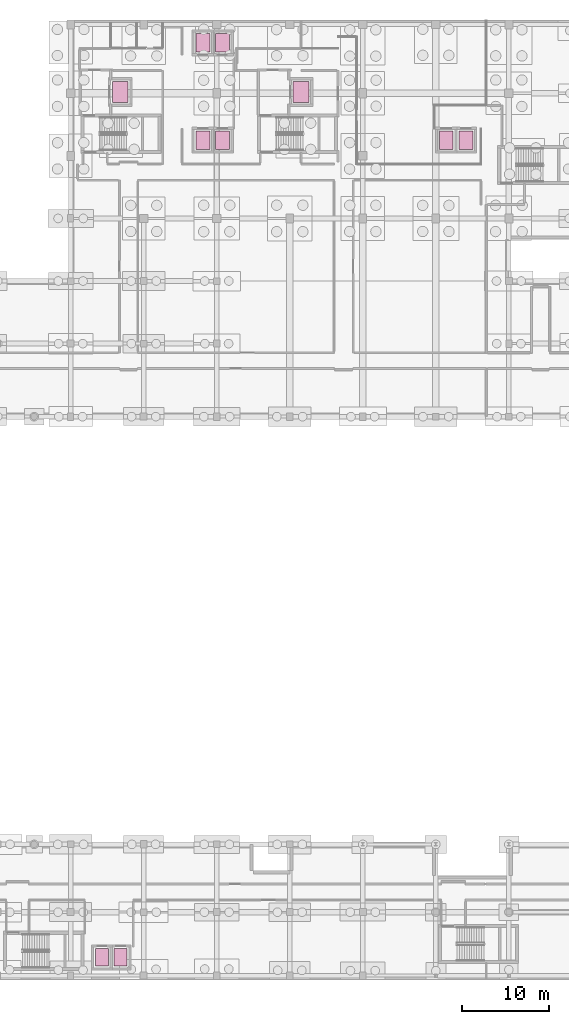
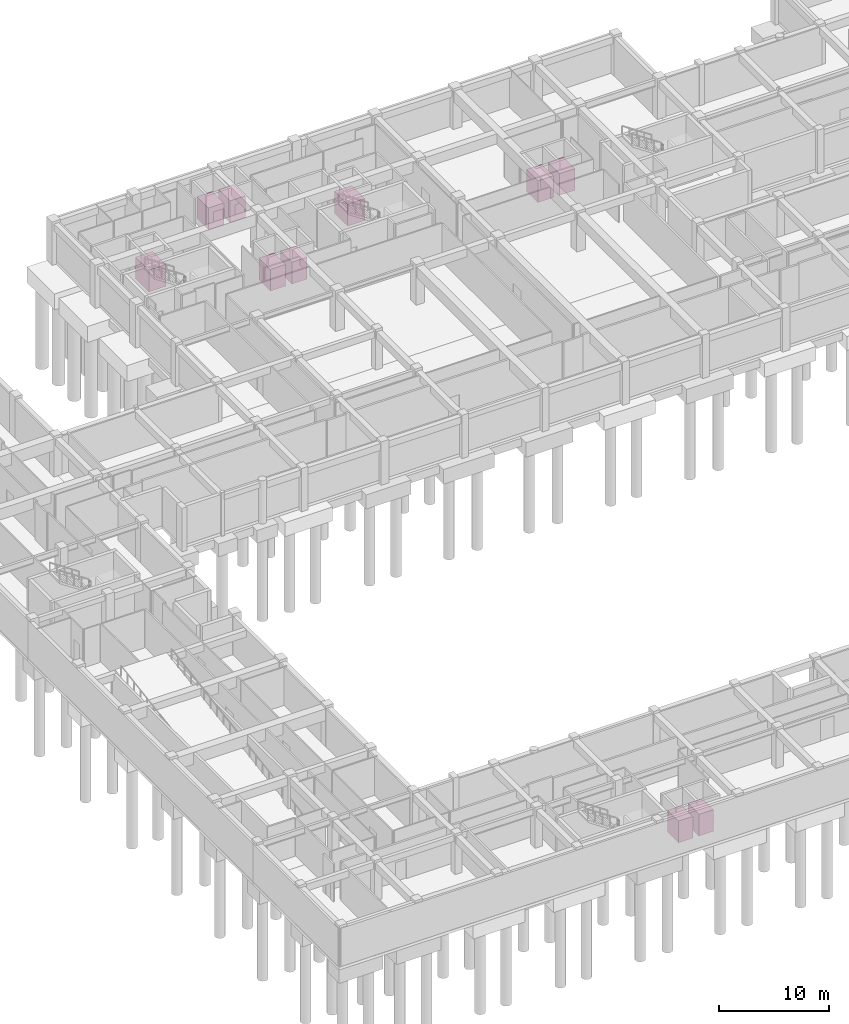
# One storey, part 42 of 42: 10 transport elements.
"""IFC4 building model written with IfcOpenShell, lengths in metres."""

from ifc_helpers import new_model, si_unit, direction, frame, origin, origin_2d, place, context, subcontext, project, spatial, rectangle, extrude, material, type_object, element, save


model = new_model("IFC4")

# Units and contexts
model_context = context("Model", 3, precision=1e-05, world=origin(), true_north=direction((0.0, 1.0)))
body_context = subcontext(model_context, "Body", "Model", "MODEL_VIEW")
ifc_project = project(units=[si_unit("LENGTHUNIT", "METRE"), si_unit("AREAUNIT", "SQUARE_METRE"), si_unit("VOLUMEUNIT", "CUBIC_METRE"), si_unit("PLANEANGLEUNIT", "RADIAN"), si_unit("MASSUNIT", "GRAM", prefix="KILO")], contexts=[model_context])

# Site, building, storey
site_placement = place(None, origin())
site = spatial("IfcSite", under=ifc_project, at=site_placement, CompositionType="ELEMENT")
building_placement = place(site_placement, origin())
building = spatial("IfcBuilding", under=site, at=building_placement, Name="Quendrovan Civic Courthouse", CompositionType="ELEMENT")
storey_placement = place(building_placement, frame((0.0, 0.0, -4.5)))
storey = spatial("IfcBuildingStorey", under=building, at=storey_placement, Name="B1", CompositionType="ELEMENT", Elevation=-4.5)

# Transport elements
ifc_material = material(Name="Brushed bronze-anodised aluminium", Category="aluminium")
transport_element_type_1 = type_object("IfcTransportElementType", Name="LFT-CUS-1350", PredefinedType="ELEVATOR", material=ifc_material)
for number, where, z_axis, x_axis, name in (
    (1, (37.199951171875, 2.60009765625, 0.050048828125), (0.0, 0.0, 1.0), (1.0, 0.0, 0.0), "Elevator Car CL1"),
    (2, (39.35009765625, 2.60009765625, 0.050048828125), (0.0, 0.0, 1.0), (1.0, 0.0, 0.0), "Elevator Car CL2"),
):
    element("IfcTransportElement", number, at=place(storey_placement, frame(where, z_axis=z_axis, x_axis=x_axis)), inside=storey, type_object=transport_element_type_1, Name=name, PredefinedType="ELEVATOR", context=body_context, shape_type="SweptSolid", body=[
        extrude(rectangle(XDim=1.5, YDim=2.0, at=origin_2d()), origin(), (0.0, 0.0, 1.0), 2.39990234375),
    ])
transport_element_type_2 = type_object("IfcTransportElementType", Name="LFT-FF-2000", PredefinedType="ELEVATOR", material=ifc_material)
for number, where, z_axis, x_axis, name in (
    (3, (39.300048828125, 102.14990234375, 0.050048828125), (0.0, 0.0, 1.0), (1.0, 0.0, 0.0), "Elevator Car FL1"),
    (4, (60.10009765625, 102.14990234375, 0.050048828125), (0.0, 0.0, 1.0), (1.0, 0.0, 0.0), "Elevator Car FL2"),
):
    element("IfcTransportElement", number, at=place(storey_placement, frame(where, z_axis=z_axis, x_axis=x_axis)), inside=storey, type_object=transport_element_type_2, Name=name, PredefinedType="ELEVATOR", context=body_context, shape_type="SweptSolid", body=[
        extrude(rectangle(XDim=1.800048828125, YDim=2.39990234375, at=origin_2d()), origin(), (0.0, 0.0, 1.0), 2.39990234375),
    ])
transport_element_type_3 = type_object("IfcTransportElementType", Name="LFT-JUD-1600", PredefinedType="ELEVATOR", material=ifc_material)
for number, where, z_axis, x_axis, name in (
    (5, (48.800048828125, 107.800048828125, 0.050048828125), (0.0, 0.0, 1.0), (1.0, 0.0, 0.0), "Elevator Car JL1"),
    (6, (51.050048828125, 107.800048828125, 0.050048828125), (0.0, 0.0, 1.0), (1.0, 0.0, 0.0), "Elevator Car JL2"),
):
    element("IfcTransportElement", number, at=place(storey_placement, frame(where, z_axis=z_axis, x_axis=x_axis)), inside=storey, type_object=transport_element_type_3, Name=name, PredefinedType="ELEVATOR", context=body_context, shape_type="SweptSolid", body=[
        extrude(rectangle(XDim=1.60009765625, YDim=2.10009765625, at=origin_2d()), origin(), (0.0, 0.0, 1.0), 2.39990234375),
    ])
transport_element_type_4 = type_object("IfcTransportElementType", Name="LFT-PUB-1600", PredefinedType="ELEVATOR", material=ifc_material)
for number, where, z_axis, x_axis, name in (
    (7, (76.800048828125, 96.60009765625, 0.050048828125), (0.0, 0.0, 1.0), (1.0, 0.0, 0.0), "Elevator Car PL1"),
    (8, (79.050048828125, 96.60009765625, 0.050048828125), (0.0, 0.0, 1.0), (1.0, 0.0, 0.0), "Elevator Car PL2"),
    (9, (48.800048828125, 96.60009765625, 0.050048828125), (0.0, 0.0, 1.0), (1.0, 0.0, 0.0), "Elevator Car PL3"),
    (10, (51.050048828125, 96.60009765625, 0.050048828125), (0.0, 0.0, 1.0), (1.0, 0.0, 0.0), "Elevator Car PL4"),
):
    element("IfcTransportElement", number, at=place(storey_placement, frame(where, z_axis=z_axis, x_axis=x_axis)), inside=storey, type_object=transport_element_type_4, Name=name, PredefinedType="ELEVATOR", context=body_context, shape_type="SweptSolid", body=[
        extrude(rectangle(XDim=1.60009765625, YDim=2.10009765625, at=origin_2d()), origin(), (0.0, 0.0, 1.0), 2.39990234375),
    ])

save(model, "model.ifc")
